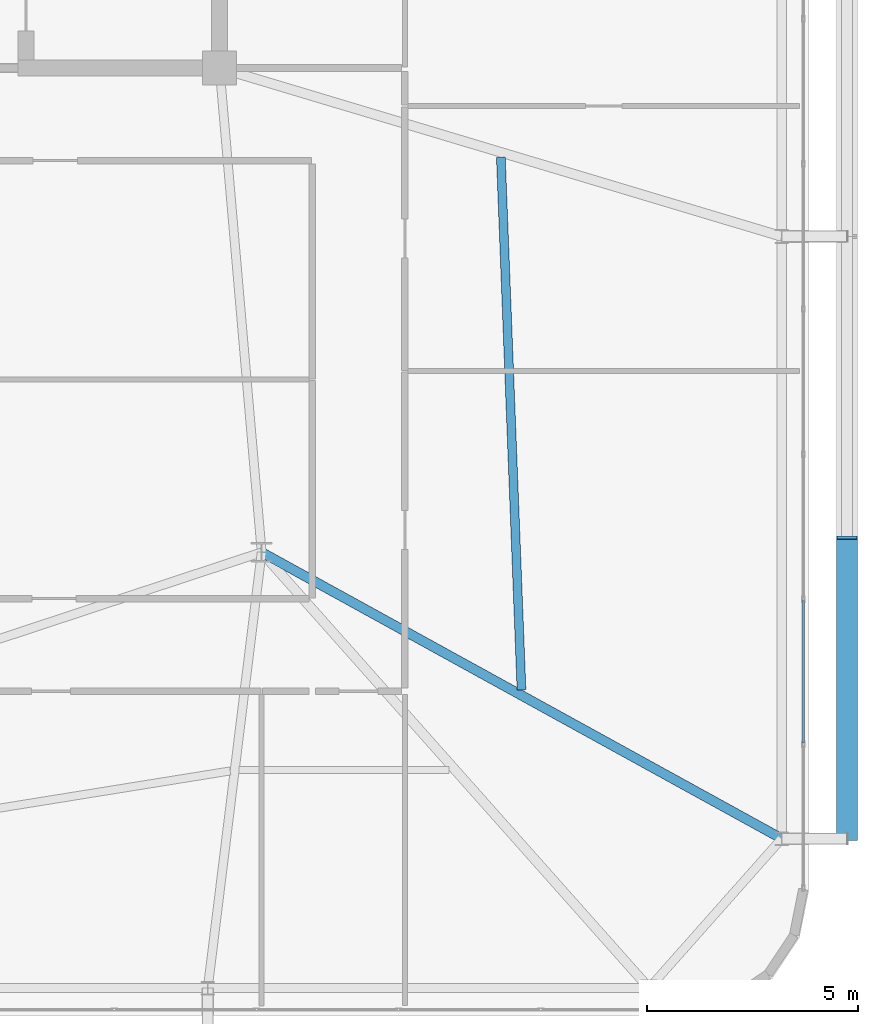
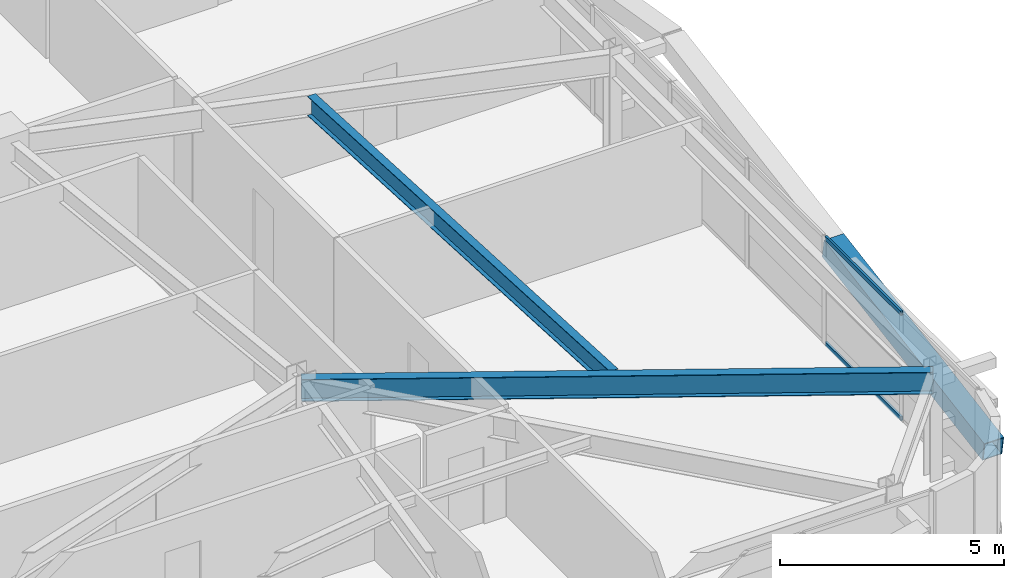
# One storey, part 25 of 59: 3 members, 2 beams, 1 element without a shape of its own.
"""IFC4 building model written with IfcOpenShell, lengths in metres."""

from ifc_helpers import new_model, si_unit, direction, frame, origin, origin_2d, place, context, subcontext, project, spatial, hollow_rectangle, i_section, extrude, source, transform, mapped, material, layer, layer_set, material_profile, profile_set, type_object, element, aggregate, save


model = new_model("IFC4")

# Units and contexts
model_context = context("Model", 3, precision=1e-05, world=origin(), true_north=direction((0.0, 1.0)))
body_context = subcontext(model_context, "Body", "Model", "MODEL_VIEW")
ifc_project = project(units=[si_unit("LENGTHUNIT", "METRE"), si_unit("AREAUNIT", "SQUARE_METRE"), si_unit("VOLUMEUNIT", "CUBIC_METRE"), si_unit("PLANEANGLEUNIT", "RADIAN"), si_unit("MASSUNIT", "GRAM", prefix="KILO")], contexts=[model_context])

# Site, building, storey
site_placement = place(None, origin())
site = spatial("IfcSite", under=ifc_project, at=site_placement, CompositionType="ELEMENT")
building_placement = place(site_placement, origin())
building = spatial("IfcBuilding", under=site, at=building_placement, Name="Taldren Reach Tower", CompositionType="ELEMENT")
storey_placement = place(building_placement, frame((0.0, 0.0, 48.300048828125)))
storey = spatial("IfcBuildingStorey", under=building, at=storey_placement, Name="L14", CompositionType="ELEMENT", Elevation=48.300048828125)

# Beams
ifc_material_1 = material(Name="Steel Gr 350 (350PLUS)", Category="steel")
ifc_material_profile_1 = material_profile(ifc_material_1, i_section(OverallWidth=0.22802734375, OverallDepth=0.60205078125, WebThickness=0.010498046875, FlangeThickness=0.014892578125, at=origin_2d()), Name="610UB101")
ifc_profile_set_1 = profile_set([ifc_material_profile_1], Name="Steel Gr 350 (350PLUS)")
beam_type_1 = type_object("IfcBeamType", Name="BM-UB610B", PredefinedType="BEAM", material=ifc_profile_set_1)
shared_shape_1 = source(origin(), body_context, "Body", "SweptSolid", [
    extrude(i_section(OverallWidth=0.22802734375, OverallDepth=0.60205078125, WebThickness=0.010498046875, FlangeThickness=0.014892578125, at=origin_2d()), origin(), (0.0, 0.0, 1.0), 14.098388671875),
])
beam_1_placement = place(storey_placement, frame((52.0, 12.5, 2.62890625), z_axis=(0.875991325783, -0.482326857175, 0.0), x_axis=(0.482326857175, 0.875991325783, 0.0)))
element("IfcBeam", 1, at=beam_1_placement, inside=storey, type_object=beam_type_1, Name="Primary floor girder B1-E1 L14", PredefinedType="BEAM", context=body_context, shape_type="MappedRepresentation", body=[
    mapped(shared_shape_1, transform((0.0, 0.0, 0.0), scale=1.0)),
])
ifc_material_profile_2 = material_profile(ifc_material_1, i_section(OverallWidth=0.208984375, OverallDepth=0.532958984375, WebThickness=0.01025390625, FlangeThickness=0.015625, at=origin_2d()), Name="530UB92.4")
ifc_profile_set_2 = profile_set([ifc_material_profile_2], Name="Steel Gr 350 (350PLUS)")
beam_type_2 = type_object("IfcBeamType", Name="BM-UB530A", PredefinedType="BEAM", material=ifc_profile_set_2)
shared_shape_2 = source(origin(), body_context, "Body", "SweptSolid", [
    extrude(i_section(OverallWidth=0.208984375, OverallDepth=0.532958984375, WebThickness=0.01025390625, FlangeThickness=0.015625, at=origin_2d()), origin(), (0.0, 0.0, 1.0), 12.65625),
])
beam_2_placement = place(storey_placement, frame((58.169921875, 9.23291015625, 2.663330078125), z_axis=(-0.0387346395, 0.99924953225, 0.0), x_axis=(-0.99924953225, -0.0387346395, 0.0)))
element("IfcBeam", 2, at=beam_2_placement, inside=storey, type_object=beam_type_2, Name="Secondary floor beam B1 J7 L14", PredefinedType="BEAM", context=body_context, shape_type="MappedRepresentation", body=[
    mapped(shared_shape_2, transform((0.0, 0.0, 0.0), scale=1.0)),
])

# Member
ifc_material_2 = material(Name="Steel Gr 450 (C450L0)", Category="steel")
ifc_material_profile_3 = material_profile(ifc_material_2, hollow_rectangle(XDim=0.510009765625, YDim=0.510009765625, WallThickness=0.02001953125, at=origin_2d()), Name="510x510x20.0SHS")
ifc_profile_set_3 = profile_set([ifc_material_profile_3], Name="Steel Gr 450 (C450L0)")
member_type_1 = type_object("IfcMemberType", Name="MB-EXO508", PredefinedType="BRACE", material=ifc_profile_set_3)
shared_shape_3 = source(origin(), body_context, "Body", "SweptSolid", [
    extrude(hollow_rectangle(XDim=0.510009765625, YDim=0.510009765625, WallThickness=0.02001953125, at=origin_2d()), origin(), (0.0, 0.0, 1.0), 7.252685546875),
])
member_1_placement = place(storey_placement, frame((65.89990234375, 5.699951171875, 0.219970703125), z_axis=(0.0, 0.985865800628, 0.167536930711), x_axis=(-1.0, 0.0, 0.0)))
element("IfcMember", 3, at=member_1_placement, inside=storey, type_object=member_type_1, Name="Exoskeleton Diagrid Brace B1-E1 L14", PredefinedType="BRACE", context=body_context, shape_type="MappedRepresentation", body=[
    mapped(shared_shape_3, transform((0.0, 0.0, 0.0), scale=1.0)),
])

# Curtain wall, members
ifc_material_3 = material(Name="Aluminium and Low-E Glass Unitised System", Category="aluminium")
ifc_layer = layer(ifc_material_3, 0.159912109375)
ifc_layer_set = layer_set([ifc_layer], Name="Aluminium and Low-E Glass Unitised System")
curtain_wall_type = type_object("IfcCurtainWallType", Name="CW-SYS-2", PredefinedType="NOTDEFINED", material=ifc_layer_set)
curtain_wall_placement = place(storey_placement, origin())
curtain_wall = element("IfcCurtainWall", 4, at=curtain_wall_placement, inside=storey, type_object=curtain_wall_type, Name="Unitised curtain wall CW-L14-E", PredefinedType="NOTDEFINED")
ifc_material_4 = material(Name="Anodised Aluminium 6063-T6", Category="aluminium")
ifc_material_profile_4 = material_profile(ifc_material_4, hollow_rectangle(XDim=0.054931640625, YDim=0.1201171875, WallThickness=0.0029296875, at=origin_2d()), Name="ALU-120x55x3RHS")
ifc_profile_set_4 = profile_set([ifc_material_profile_4], Name="Anodised Aluminium 6063-T6")
member_type_2 = type_object("IfcMemberType", Name="CW-TRN-135", PredefinedType="USERDEFINED", material=ifc_profile_set_4)
shared_shape_4 = source(origin(), body_context, "Body", "SweptSolid", [
    extrude(hollow_rectangle(XDim=0.054931640625, YDim=0.1201171875, WallThickness=0.0029296875, at=origin_2d()), origin(), (0.0, 0.0, 1.0), 3.37939453125),
])
member_2_placement = place(storey_placement, frame((64.860107421875, 7.97705078125, 0.02734375), z_axis=(0.0, 1.0, 0.0), x_axis=(-1.0, 0.0, 0.0)))
member_2 = element("IfcMember", 5, at=member_2_placement, type_object=member_type_2, Name="CW-2 transom 2.1", ObjectType="TRANSOM", PredefinedType="USERDEFINED", context=body_context, shape_type="MappedRepresentation", body=[
    mapped(shared_shape_4, transform((0.0, 0.0, 0.0), scale=1.0)),
])
member_3_placement = place(storey_placement, frame((64.860107421875, 7.97705078125, 2.90234375), z_axis=(0.0, 1.0, 0.0), x_axis=(-1.0, 0.0, 0.0)))
member_3 = element("IfcMember", 6, at=member_3_placement, type_object=member_type_2, Name="CW-2 transom 2.2", ObjectType="TRANSOM", PredefinedType="USERDEFINED", context=body_context, shape_type="MappedRepresentation", body=[
    mapped(shared_shape_4, transform((0.0, 0.0, 0.0), scale=1.0)),
])
aggregate(curtain_wall, [member_2, member_3])

save(model, "model.ifc")
